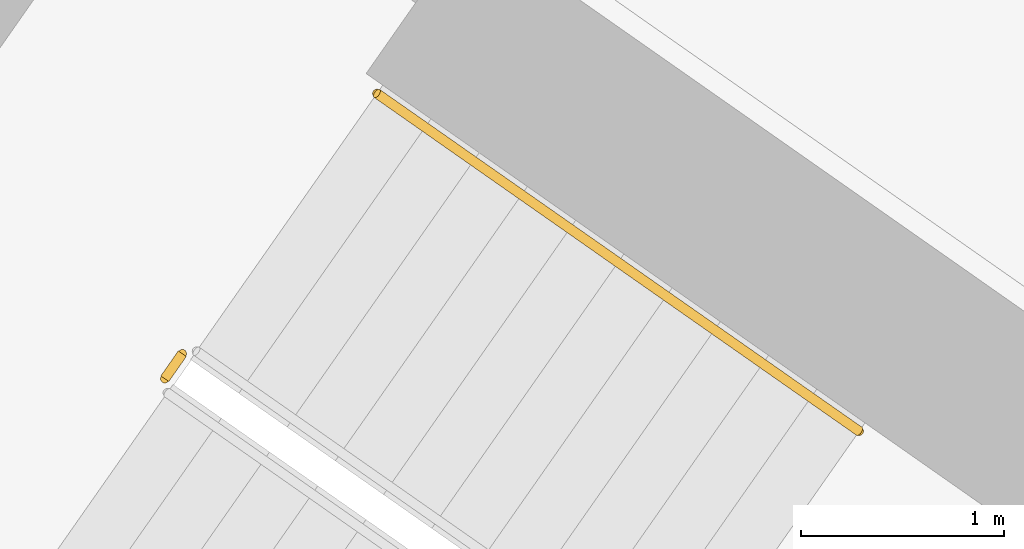
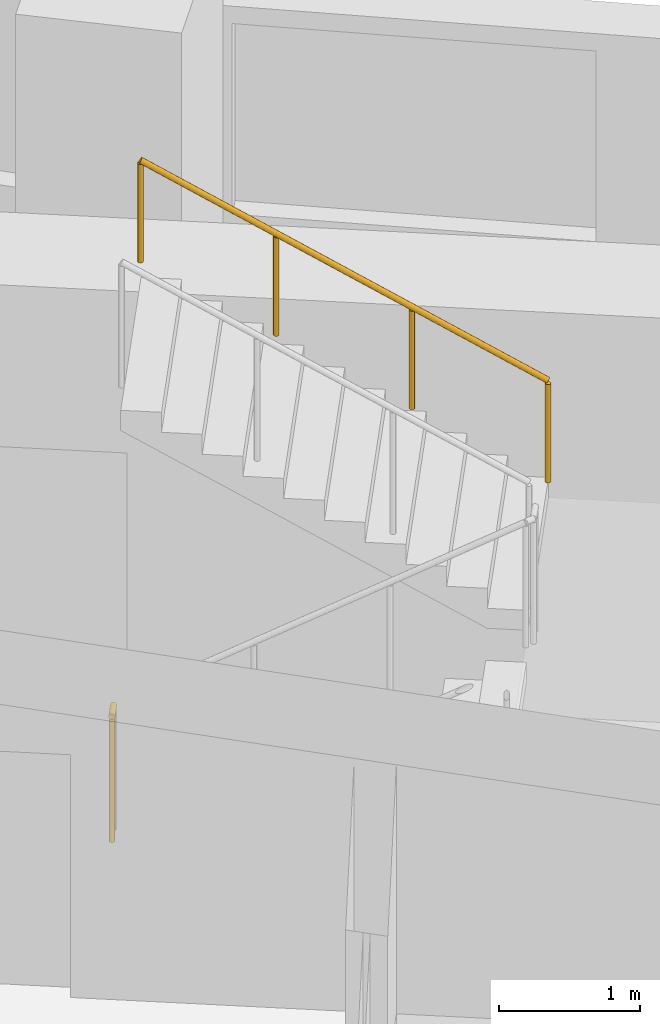
# One storey, part 26 of 29: 2 railings.
"""IFC4 building model written with IfcOpenShell, lengths in metres."""

import ifcopenshell
import ifcopenshell.guid

model = None  # the IFC model being written
_history = None  # IfcOwnerHistory: only IFC2X3 demands one
_inside = {}  # id of a spatial element -> (the spatial element, [elements in it])
_under = {}  # id of a project, library or spatial element -> (it, [spatial elements below it])
_declared = {}  # id of a project -> (the project, [libraries it declares])
_typed = {}  # id of a type object -> (the type object, [elements of that type])
_made_of = {}  # id of a material, layer set ... -> (it, [elements and type objects made of it])


def new_model(schema):
    """Start an empty IFC model of exactly this schema.

    Asked for "IFC4X3", IfcOpenShell would pick the latest addendum, in which some entities
    have other attributes; the version numbers below select the first issue.
    IFC2X3 requires an IfcOwnerHistory on every rooted entity: one is made here for all.
    """
    global model, _history
    if schema == "IFC4X3":
        model = ifcopenshell.file(schema_version=(4, 3, 0, 0))
    else:
        model = ifcopenshell.file(schema=schema)
    _inside.clear()
    _under.clear()
    _declared.clear()
    _typed.clear()
    _made_of.clear()
    _history = None
    if model.schema == "IFC2X3":
        org = make("IfcOrganization", Name="unknown")
        user = make(
            "IfcPersonAndOrganization",
            ThePerson=make("IfcPerson", FamilyName="unknown"),
            TheOrganization=org,
        )
        app = make(
            "IfcApplication",
            ApplicationDeveloper=org,
            Version="unknown",
            ApplicationFullName="unknown",
            ApplicationIdentifier="unknown",
        )
        _history = make(
            "IfcOwnerHistory",
            OwningUser=user,
            OwningApplication=app,
            ChangeAction="ADDED",
            CreationDate=0,
        )
    return model


def make(cls, **values):
    """One entity of the class cls with the attributes given. An attribute that is None is left unset."""
    return model.create_entity(
        cls, **{name: value for name, value in values.items() if value is not None}
    )


def rooted(cls, **values):
    """An entity with a GlobalId (a new one), such as an element, a storey or a relation."""
    return make(cls, GlobalId=ifcopenshell.guid.new(), OwnerHistory=_history, **values)


def si_unit(unit_type, name, prefix=None):
    """IfcSIUnit, for example si_unit("LENGTHUNIT", "METRE", prefix="MILLI")."""
    return make("IfcSIUnit", UnitType=unit_type, Prefix=prefix, Name=name)


def assignment(units):
    """IfcUnitAssignment: the units of a project."""
    return None if units is None else make("IfcUnitAssignment", Units=units)


def point(xyz):
    """IfcCartesianPoint."""
    return None if xyz is None else make("IfcCartesianPoint", Coordinates=xyz)


def direction(xyz):
    """IfcDirection."""
    return None if xyz is None else make("IfcDirection", DirectionRatios=xyz)


def frame(location, z_axis=None, x_axis=None):
    """IfcAxis2Placement3D, a coordinate frame: its origin and axes. An axis left out is left unset."""
    return make(
        "IfcAxis2Placement3D",
        Location=point(location),
        Axis=direction(z_axis),
        RefDirection=direction(x_axis),
    )


def frame_2d(location, x_axis=None):
    """IfcAxis2Placement2D, a coordinate frame in the plane: its origin and x axis."""
    return make(
        "IfcAxis2Placement2D", Location=point(location), RefDirection=direction(x_axis)
    )


def origin():
    """The frame at (0, 0, 0) with its axes left unset."""
    return frame((0.0, 0.0, 0.0))


def origin_2d():
    """The frame at (0, 0) in the plane with its x axis left unset."""
    return frame_2d((0.0, 0.0))


def place(relative_to, where):
    """IfcLocalPlacement: puts the frame where relative to a parent placement (None: the world)."""
    return make(
        "IfcLocalPlacement", PlacementRelTo=relative_to, RelativePlacement=where
    )


def context(
    kind, dimensions, precision=None, world=None, true_north=None, identifier=None
):
    """IfcGeometricRepresentationContext, for example the 3D "Model" context."""
    return make(
        "IfcGeometricRepresentationContext",
        ContextIdentifier=identifier,
        ContextType=kind,
        CoordinateSpaceDimension=dimensions,
        Precision=precision,
        WorldCoordinateSystem=world,
        TrueNorth=true_north,
    )


def subcontext(parent, identifier, kind, view, scale=None):
    """IfcGeometricRepresentationSubContext, for example "Body" below "Model"."""
    return make(
        "IfcGeometricRepresentationSubContext",
        ContextIdentifier=identifier,
        ContextType=kind,
        ParentContext=parent,
        TargetScale=scale,
        TargetView=view,
    )


def project(units=None, contexts=None):
    """IfcProject with its units and contexts."""
    return rooted(
        "IfcProject",
        Name="project",
        RepresentationContexts=contexts,
        UnitsInContext=assignment(units),
    )


def spatial(cls, under=None, at=None, **own):
    """A site, building, storey or space (cls), placed at a placement, below another one or the project."""
    s = rooted(cls, ObjectPlacement=at, **own)
    if under is not None:
        _under.setdefault(under.id(), (under, []))[1].append(s)
    return s


def profile(cls, at=None, kind="AREA", **sizes):
    """A parametric profile (cls). Its sizes go by their IFC names, for example OverallWidth=200.0."""
    return make(cls, ProfileType=kind, Position=at, **sizes)


def circle(**sizes):
    """IfcCircleProfileDef."""
    return profile("IfcCircleProfileDef", **sizes)


def extrude(swept, where, along, depth):
    """IfcExtrudedAreaSolid: the profile swept, set in the frame where, extruded along a direction by depth."""
    return make(
        "IfcExtrudedAreaSolid",
        SweptArea=swept,
        Position=where,
        ExtrudedDirection=direction(along),
        Depth=depth,
    )


def shape(context_of_items, identifier, shape_type, items):
    """IfcShapeRepresentation: the items that make up one representation, for example the "Body"."""
    return make(
        "IfcShapeRepresentation",
        ContextOfItems=context_of_items,
        RepresentationIdentifier=identifier,
        RepresentationType=shape_type,
        Items=items,
    )


def material(Name=None, Category=None):
    """IfcMaterial."""
    return make("IfcMaterial", Name=Name, Category=Category)


def made_of(thing, what):
    """Note that an element or type object is made of a material, layer set ...; save() writes the relation."""
    if what is not None:
        _made_of.setdefault(what.id(), (what, []))[1].append(thing)
    return thing


def type_object(cls, material=None, **own):
    """A type object (cls), such as IfcWallType, which elements share."""
    return made_of(rooted(cls, **own), material)


def element(
    cls,
    number,
    at=None,
    inside=None,
    cuts=None,
    type_object=None,
    material=None,
    context=None,
    identifier="Body",
    shape_type=None,
    held_by="IfcProductDefinitionShape",
    body=None,
    shapes=None,
    **own,
):
    """One element of the class cls, such as IfcWall. Its Tag is "e" and its number.

    at: its placement. inside: the storey or other place that contains it. cuts: it is an
    opening in that element (IfcRelVoidsElement). A single representation is given by context,
    identifier, shape_type and body (its items); several are given by shapes. held_by: the class
    of the entity that holds the representations. save() writes the other relations.
    """
    e = rooted(cls, Tag="e%d" % number, ObjectPlacement=at, **own)
    if body is not None:
        shapes = [shape(context, identifier, shape_type, body)]
    if shapes is not None:
        e.Representation = make(held_by, Representations=shapes)
    if inside is not None:
        _inside.setdefault(inside.id(), (inside, []))[1].append(e)
    if cuts is not None:
        rooted(
            "IfcRelVoidsElement", RelatingBuildingElement=cuts, RelatedOpeningElement=e
        )
    if type_object is not None:
        _typed.setdefault(type_object.id(), (type_object, []))[1].append(e)
    return made_of(e, material)


def aggregate(whole, parts):
    """IfcRelAggregates: a whole, such as a stair, and the parts it consists of."""
    return rooted("IfcRelAggregates", RelatingObject=whole, RelatedObjects=parts)


def save(model, path):
    """Write the relations noted so far, then the file.

    IfcRelAggregates (storeys below a building ...), IfcRelContainedInSpatialStructure (elements
    in a storey), IfcRelDefinesByType, IfcRelAssociatesMaterial and IfcRelDeclares: one each for
    every whole, place, type object, material and project.
    """
    for whole, parts in _under.values():
        aggregate(whole, parts)
    for where, things in _inside.values():
        rooted(
            "IfcRelContainedInSpatialStructure",
            RelatedElements=things,
            RelatingStructure=where,
        )
    for kind, things in _typed.values():
        rooted("IfcRelDefinesByType", RelatedObjects=things, RelatingType=kind)
    for what, things in _made_of.values():
        rooted("IfcRelAssociatesMaterial", RelatedObjects=things, RelatingMaterial=what)
    for by, libraries in _declared.values():
        rooted("IfcRelDeclares", RelatingContext=by, RelatedDefinitions=libraries)
    model.write(path)


model = new_model("IFC4")

# Units and contexts
model_context = context("Model", 3, precision=1e-05, world=origin(), true_north=direction((0.0, 1.0)))
body_context = subcontext(model_context, "Body", "Model", "MODEL_VIEW")
ifc_project = project(units=[si_unit("LENGTHUNIT", "METRE"), si_unit("AREAUNIT", "SQUARE_METRE"), si_unit("VOLUMEUNIT", "CUBIC_METRE"), si_unit("PLANEANGLEUNIT", "RADIAN"), si_unit("MASSUNIT", "GRAM", prefix="KILO")], contexts=[model_context])

# Site, building, storey
site_placement = place(None, origin())
site = spatial("IfcSite", under=ifc_project, at=site_placement, CompositionType="ELEMENT")
building_placement = place(site_placement, origin())
building = spatial("IfcBuilding", under=site, at=building_placement, Name="Qamariyya Broadcast Tower", CompositionType="ELEMENT")
storey_placement = place(building_placement, frame((0.0, 0.0, 106.300048828125)))
storey = spatial("IfcBuildingStorey", under=building, at=storey_placement, Name="L23", CompositionType="ELEMENT", Elevation=106.300048828125)

# Railings
ifc_material_1 = material(Name="Painted steel", Category="steel")
railing_type_1 = type_object("IfcRailingType", Name="Stair guard", PredefinedType="GUARDRAIL", material=ifc_material_1)
railing_1_placement = place(storey_placement, frame((-41.158935546875, -48.455322265625, 0.0)))
element("IfcRailing", 1, at=railing_1_placement, inside=storey, type_object=railing_type_1, Name="L23 ST-W2 stair guard 3", PredefinedType="GUARDRAIL", context=body_context, shape_type="SweptSolid", body=[
    extrude(circle(Radius=0.02392578125, at=origin_2d()), frame((0.0, 0.0, 1.076171875), z_axis=(0.572588637393, 0.819842821722, 0.0), x_axis=(-0.819842821722, 0.572588637393, 0.0)), (0.0, 0.0, 1.0), 0.150146484375),
    extrude(circle(Radius=0.02099609375, at=origin_2d()), origin(), (0.0, 0.0, 1.0), 1.052001953125),
    extrude(circle(Radius=0.02099609375, at=origin_2d()), frame((0.0859375, 0.123046875, 0.0)), (0.0, 0.0, 1.0), 1.052001953125),
])
ifc_material_2 = material(Name="Stainless steel", Category="steel")
railing_type_2 = type_object("IfcRailingType", Name="Stair handrail", PredefinedType="HANDRAIL", material=ifc_material_2)
railing_2_placement = place(storey_placement, frame((-37.73876953125, -48.7138671875, 2.07275390625)))
element("IfcRailing", 2, at=railing_2_placement, inside=storey, type_object=railing_type_2, Name="L23 ST-W2 stair handrail 2", PredefinedType="HANDRAIL", context=body_context, shape_type="SweptSolid", body=[
    extrude(circle(Radius=0.02392578125, at=origin_2d()), frame((0.0, 0.0, 0.8759765625), z_axis=(-0.703745009021, 0.492838488332, 0.511715923826), x_axis=(-0.573631830683, -0.819113253969, 0.0)), (0.0, 0.0, 1.0), 3.37548828125),
    extrude(circle(Radius=0.02099609375, at=origin_2d()), origin(), (0.0, 0.0, 1.0), 0.851806640625),
    extrude(circle(Radius=0.02099609375, at=origin_2d()), frame((-0.791748046875, 0.554443359375, 0.57568359375)), (0.0, 0.0, 1.0), 0.851806640625),
    extrude(circle(Radius=0.02099609375, at=origin_2d()), frame((-1.583740234375, 1.109130859375, 1.151611328125)), (0.0, 0.0, 1.0), 0.851806640625),
    extrude(circle(Radius=0.02099609375, at=origin_2d()), frame((-2.37548828125, 1.66357421875, 1.727294921875)), (0.0, 0.0, 1.0), 0.851806640625),
])

save(model, "model.ifc")
